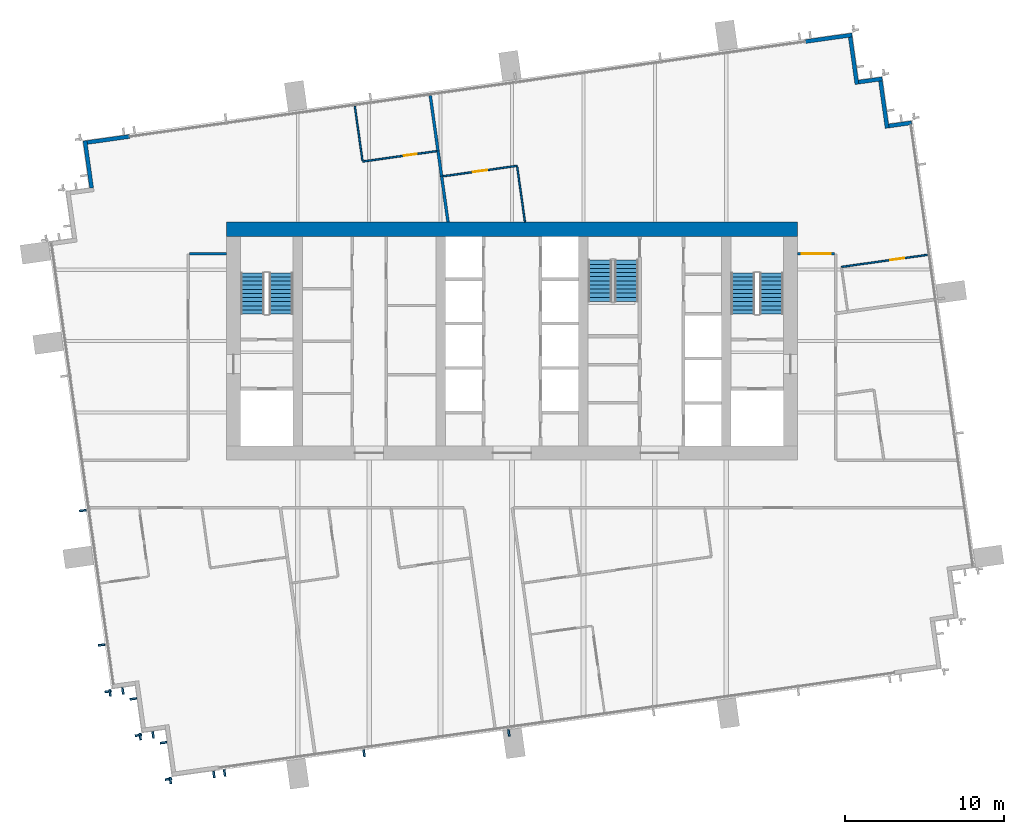
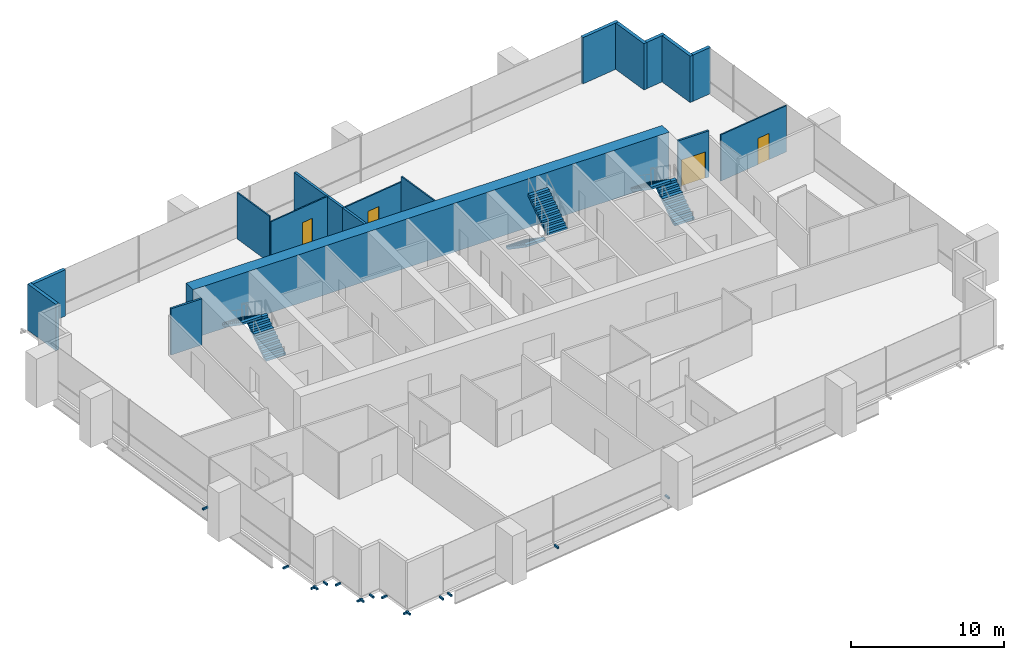
# One storey, part 12 of 14: 18 walls, 16 discrete accessories, 6 stair flights, 4 doors, 4 openings, 3 elements without a shape of their own.
"""IFC4 building model written with IfcOpenShell, lengths in metres."""

import ifcopenshell
import ifcopenshell.guid

model = None  # the IFC model being written
_history = None  # IfcOwnerHistory: only IFC2X3 demands one
_inside = {}  # id of a spatial element -> (the spatial element, [elements in it])
_under = {}  # id of a project, library or spatial element -> (it, [spatial elements below it])
_declared = {}  # id of a project -> (the project, [libraries it declares])
_typed = {}  # id of a type object -> (the type object, [elements of that type])
_made_of = {}  # id of a material, layer set ... -> (it, [elements and type objects made of it])


def new_model(schema):
    """Start an empty IFC model of exactly this schema.

    Asked for "IFC4X3", IfcOpenShell would pick the latest addendum, in which some entities
    have other attributes; the version numbers below select the first issue.
    IFC2X3 requires an IfcOwnerHistory on every rooted entity: one is made here for all.
    """
    global model, _history
    if schema == "IFC4X3":
        model = ifcopenshell.file(schema_version=(4, 3, 0, 0))
    else:
        model = ifcopenshell.file(schema=schema)
    _inside.clear()
    _under.clear()
    _declared.clear()
    _typed.clear()
    _made_of.clear()
    _history = None
    if model.schema == "IFC2X3":
        org = make("IfcOrganization", Name="unknown")
        user = make(
            "IfcPersonAndOrganization",
            ThePerson=make("IfcPerson", FamilyName="unknown"),
            TheOrganization=org,
        )
        app = make(
            "IfcApplication",
            ApplicationDeveloper=org,
            Version="unknown",
            ApplicationFullName="unknown",
            ApplicationIdentifier="unknown",
        )
        _history = make(
            "IfcOwnerHistory",
            OwningUser=user,
            OwningApplication=app,
            ChangeAction="ADDED",
            CreationDate=0,
        )
    return model


def make(cls, **values):
    """One entity of the class cls with the attributes given. An attribute that is None is left unset."""
    return model.create_entity(
        cls, **{name: value for name, value in values.items() if value is not None}
    )


def rooted(cls, **values):
    """An entity with a GlobalId (a new one), such as an element, a storey or a relation."""
    return make(cls, GlobalId=ifcopenshell.guid.new(), OwnerHistory=_history, **values)


def si_unit(unit_type, name, prefix=None):
    """IfcSIUnit, for example si_unit("LENGTHUNIT", "METRE", prefix="MILLI")."""
    return make("IfcSIUnit", UnitType=unit_type, Prefix=prefix, Name=name)


def assignment(units):
    """IfcUnitAssignment: the units of a project."""
    return None if units is None else make("IfcUnitAssignment", Units=units)


def point(xyz):
    """IfcCartesianPoint."""
    return None if xyz is None else make("IfcCartesianPoint", Coordinates=xyz)


def direction(xyz):
    """IfcDirection."""
    return None if xyz is None else make("IfcDirection", DirectionRatios=xyz)


def frame(location, z_axis=None, x_axis=None):
    """IfcAxis2Placement3D, a coordinate frame: its origin and axes. An axis left out is left unset."""
    return make(
        "IfcAxis2Placement3D",
        Location=point(location),
        Axis=direction(z_axis),
        RefDirection=direction(x_axis),
    )


def frame_2d(location, x_axis=None):
    """IfcAxis2Placement2D, a coordinate frame in the plane: its origin and x axis."""
    return make(
        "IfcAxis2Placement2D", Location=point(location), RefDirection=direction(x_axis)
    )


def origin():
    """The frame at (0, 0, 0) with its axes left unset."""
    return frame((0.0, 0.0, 0.0))


def origin_2d():
    """The frame at (0, 0) in the plane with its x axis left unset."""
    return frame_2d((0.0, 0.0))


def place(relative_to, where):
    """IfcLocalPlacement: puts the frame where relative to a parent placement (None: the world)."""
    return make(
        "IfcLocalPlacement", PlacementRelTo=relative_to, RelativePlacement=where
    )


def context(
    kind, dimensions, precision=None, world=None, true_north=None, identifier=None
):
    """IfcGeometricRepresentationContext, for example the 3D "Model" context."""
    return make(
        "IfcGeometricRepresentationContext",
        ContextIdentifier=identifier,
        ContextType=kind,
        CoordinateSpaceDimension=dimensions,
        Precision=precision,
        WorldCoordinateSystem=world,
        TrueNorth=true_north,
    )


def subcontext(parent, identifier, kind, view, scale=None):
    """IfcGeometricRepresentationSubContext, for example "Body" below "Model"."""
    return make(
        "IfcGeometricRepresentationSubContext",
        ContextIdentifier=identifier,
        ContextType=kind,
        ParentContext=parent,
        TargetScale=scale,
        TargetView=view,
    )


def project(units=None, contexts=None):
    """IfcProject with its units and contexts."""
    return rooted(
        "IfcProject",
        Name="project",
        RepresentationContexts=contexts,
        UnitsInContext=assignment(units),
    )


def spatial(cls, under=None, at=None, **own):
    """A site, building, storey or space (cls), placed at a placement, below another one or the project."""
    s = rooted(cls, ObjectPlacement=at, **own)
    if under is not None:
        _under.setdefault(under.id(), (under, []))[1].append(s)
    return s


def polyline(points):
    """IfcPolyline through the points."""
    return make("IfcPolyline", Points=[point(p) for p in points])


def profile(cls, at=None, kind="AREA", **sizes):
    """A parametric profile (cls). Its sizes go by their IFC names, for example OverallWidth=200.0."""
    return make(cls, ProfileType=kind, Position=at, **sizes)


def rectangle(**sizes):
    """IfcRectangleProfileDef."""
    return profile("IfcRectangleProfileDef", **sizes)


def outline(outer, holes=None, kind="AREA"):
    """IfcArbitraryClosedProfileDef: a profile drawn as a closed curve; with holes, ...WithVoids."""
    if holes is None:
        return make("IfcArbitraryClosedProfileDef", ProfileType=kind, OuterCurve=outer)
    return make(
        "IfcArbitraryProfileDefWithVoids",
        ProfileType=kind,
        OuterCurve=outer,
        InnerCurves=holes,
    )


def extrude(swept, where, along, depth):
    """IfcExtrudedAreaSolid: the profile swept, set in the frame where, extruded along a direction by depth."""
    return make(
        "IfcExtrudedAreaSolid",
        SweptArea=swept,
        Position=where,
        ExtrudedDirection=direction(along),
        Depth=depth,
    )


def shape(context_of_items, identifier, shape_type, items):
    """IfcShapeRepresentation: the items that make up one representation, for example the "Body"."""
    return make(
        "IfcShapeRepresentation",
        ContextOfItems=context_of_items,
        RepresentationIdentifier=identifier,
        RepresentationType=shape_type,
        Items=items,
    )


def material(Name=None, Category=None):
    """IfcMaterial."""
    return make("IfcMaterial", Name=Name, Category=Category)


def layer(
    of_material, thickness, ventilated=None, Name=None, Category=None, Priority=None
):
    """IfcMaterialLayer: one layer of a wall or slab, of a material (None: an air gap)."""
    return make(
        "IfcMaterialLayer",
        Material=of_material,
        LayerThickness=thickness,
        IsVentilated=ventilated,
        Name=Name,
        Category=Category,
        Priority=Priority,
    )


def layer_set(layers, Name=None):
    """IfcMaterialLayerSet."""
    return make("IfcMaterialLayerSet", MaterialLayers=layers, LayerSetName=Name)


def made_of(thing, what):
    """Note that an element or type object is made of a material, layer set ...; save() writes the relation."""
    if what is not None:
        _made_of.setdefault(what.id(), (what, []))[1].append(thing)
    return thing


def type_object(cls, material=None, **own):
    """A type object (cls), such as IfcWallType, which elements share."""
    return made_of(rooted(cls, **own), material)


def element(
    cls,
    number,
    at=None,
    inside=None,
    cuts=None,
    type_object=None,
    material=None,
    context=None,
    identifier="Body",
    shape_type=None,
    held_by="IfcProductDefinitionShape",
    body=None,
    shapes=None,
    **own,
):
    """One element of the class cls, such as IfcWall. Its Tag is "e" and its number.

    at: its placement. inside: the storey or other place that contains it. cuts: it is an
    opening in that element (IfcRelVoidsElement). A single representation is given by context,
    identifier, shape_type and body (its items); several are given by shapes. held_by: the class
    of the entity that holds the representations. save() writes the other relations.
    """
    e = rooted(cls, Tag="e%d" % number, ObjectPlacement=at, **own)
    if body is not None:
        shapes = [shape(context, identifier, shape_type, body)]
    if shapes is not None:
        e.Representation = make(held_by, Representations=shapes)
    if inside is not None:
        _inside.setdefault(inside.id(), (inside, []))[1].append(e)
    if cuts is not None:
        rooted(
            "IfcRelVoidsElement", RelatingBuildingElement=cuts, RelatedOpeningElement=e
        )
    if type_object is not None:
        _typed.setdefault(type_object.id(), (type_object, []))[1].append(e)
    return made_of(e, material)


def fill(opening, filler):
    """IfcRelFillsElement: the door or window that sits in an opening."""
    return rooted(
        "IfcRelFillsElement",
        RelatingOpeningElement=opening,
        RelatedBuildingElement=filler,
    )


def aggregate(whole, parts):
    """IfcRelAggregates: a whole, such as a stair, and the parts it consists of."""
    return rooted("IfcRelAggregates", RelatingObject=whole, RelatedObjects=parts)


def save(model, path):
    """Write the relations noted so far, then the file.

    IfcRelAggregates (storeys below a building ...), IfcRelContainedInSpatialStructure (elements
    in a storey), IfcRelDefinesByType, IfcRelAssociatesMaterial and IfcRelDeclares: one each for
    every whole, place, type object, material and project.
    """
    for whole, parts in _under.values():
        aggregate(whole, parts)
    for where, things in _inside.values():
        rooted(
            "IfcRelContainedInSpatialStructure",
            RelatedElements=things,
            RelatingStructure=where,
        )
    for kind, things in _typed.values():
        rooted("IfcRelDefinesByType", RelatedObjects=things, RelatingType=kind)
    for what, things in _made_of.values():
        rooted("IfcRelAssociatesMaterial", RelatedObjects=things, RelatingMaterial=what)
    for by, libraries in _declared.values():
        rooted("IfcRelDeclares", RelatingContext=by, RelatedDefinitions=libraries)
    model.write(path)


model = new_model("IFC4")

# Units and contexts
model_context = context("Model", 3, precision=1e-05, world=origin(), true_north=direction((0.0, 1.0)))
body_context = subcontext(model_context, "Body", "Model", "MODEL_VIEW")
ifc_project = project(units=[si_unit("LENGTHUNIT", "METRE"), si_unit("AREAUNIT", "SQUARE_METRE"), si_unit("VOLUMEUNIT", "CUBIC_METRE"), si_unit("PLANEANGLEUNIT", "RADIAN"), si_unit("MASSUNIT", "GRAM", prefix="KILO")], contexts=[model_context])

# Site, building, storey
site_placement = place(None, origin())
site = spatial("IfcSite", under=ifc_project, at=site_placement, CompositionType="ELEMENT")
building_placement = place(site_placement, origin())
building = spatial("IfcBuilding", under=site, at=building_placement, Name="Rattan Terrace Tower", CompositionType="ELEMENT")
storey_placement = place(building_placement, frame((0.0, 0.0, 172.39990234375)))
storey = spatial("IfcBuildingStorey", under=building, at=storey_placement, Name="L39", CompositionType="ELEMENT", Elevation=172.39990234375)

# Walls
ifc_material_1 = material(Name="Concrete C60/75", Category="concrete")
ifc_layer_1 = layer(ifc_material_1, 0.89990234375)
ifc_layer_set_1 = layer_set([ifc_layer_1], Name="Core ring wall 900 C60/75")
wall_type_1 = type_object("IfcWallType", Name="Core ring wall 900 C60/75", PredefinedType="SHEAR", material=ifc_layer_set_1)
wall_1_placement = place(storey_placement, frame((-18.0, 7.050048828125, -0.199951171875), z_axis=(0.0, 0.0, 1.0), x_axis=(1.0, 0.0, 0.0)))
element("IfcWall", 1, at=wall_1_placement, inside=storey, type_object=wall_type_1, Name="Rear core wall north", PredefinedType="SHEAR", context=body_context, shape_type="SweptSolid", body=[
    extrude(rectangle(XDim=36.0, YDim=0.89990234375, at=frame_2d((18.0, 0.0))), origin(), (0.0, 0.0, 1.0), 3.900146484375),
])
ifc_material_2 = material(Name="Insulated aluminium-clad stud wall", Category="aluminium")
ifc_layer_2 = layer(ifc_material_2, 0.25)
ifc_layer_set_2 = layer_set([ifc_layer_2], Name="Facade Riser Wall 250")
wall_type_2 = type_object("IfcWallType", Name="Facade Riser Wall 250", PredefinedType="SOLIDWALL", material=ifc_layer_set_2)
wall_2_placement = place(storey_placement, frame((25.18359375, 13.758056640625, 0.0), z_axis=(0.0, 0.0, 1.0), x_axis=(-0.9902493448, -0.13930626376, 0.0)))
element("IfcWall", 2, at=wall_2_placement, inside=storey, type_object=wall_type_2, Name="Riser wall L39-6", PredefinedType="SOLIDWALL", context=body_context, shape_type="SweptSolid", body=[
    extrude(rectangle(XDim=1.45458984375, YDim=0.25, at=frame_2d((0.727294921875, 0.0))), origin(), (0.0, 0.0, 1.0), 3.7001953125),
])
wall_3_placement = place(storey_placement, frame((23.63671875, 13.414306640625, 0.0), z_axis=(0.0, 0.0, 1.0), x_axis=(-0.139313431826, 0.990248336385, 0.0)))
element("IfcWall", 3, at=wall_3_placement, inside=storey, type_object=wall_type_2, Name="Riser wall L39-7", PredefinedType="SOLIDWALL", context=body_context, shape_type="SweptSolid", body=[
    extrude(rectangle(XDim=3.000244140625, YDim=0.25, at=frame_2d((1.5, 0.0))), origin(), (0.0, 0.0, 1.0), 3.7001953125),
])
wall_4_placement = place(storey_placement, frame((23.3251953125, 16.5263671875, 0.0), z_axis=(0.0, 0.0, 1.0), x_axis=(-0.990243596651, -0.13934711799, 0.0)))
element("IfcWall", 4, at=wall_4_placement, inside=storey, type_object=wall_type_2, Name="Riser wall L39-8", PredefinedType="SOLIDWALL", context=body_context, shape_type="SweptSolid", body=[
    extrude(rectangle(XDim=1.499755859375, YDim=0.25, at=frame_2d((0.75, 0.0))), origin(), (0.0, 0.0, 1.0), 3.7001953125),
])
wall_5_placement = place(storey_placement, frame((21.733642578125, 16.17626953125, 0.0), z_axis=(0.0, 0.0, 1.0), x_axis=(-0.139313431826, 0.990248336385, 0.0)))
element("IfcWall", 5, at=wall_5_placement, inside=storey, type_object=wall_type_2, Name="Riser wall L39-9", PredefinedType="SOLIDWALL", context=body_context, shape_type="SweptSolid", body=[
    extrude(rectangle(XDim=3.000244140625, YDim=0.25, at=frame_2d((1.5, 0.0))), origin(), (0.0, 0.0, 1.0), 3.7001953125),
])
wall_6_placement = place(storey_placement, frame((21.422119140625, 19.288330078125, 0.0), z_axis=(0.0, 0.0, 1.0), x_axis=(-0.990246427036, -0.139327002919, 0.0)))
element("IfcWall", 6, at=wall_6_placement, inside=storey, type_object=wall_type_2, Name="Riser wall L39-10", PredefinedType="SOLIDWALL", context=body_context, shape_type="SweptSolid", body=[
    extrude(rectangle(XDim=2.954345703125, YDim=0.25, at=frame_2d((1.47705078125, 0.0))), origin(), (0.0, 0.0, 1.0), 3.7001953125),
])
wall_7_placement = place(storey_placement, frame((-24.08544921875, 12.892578125, 0.0), z_axis=(0.0, 0.0, 1.0), x_axis=(-0.990255800966, -0.139260362823, 0.0)))
element("IfcWall", 7, at=wall_7_placement, inside=storey, type_object=wall_type_2, Name="Riser wall L39-11", PredefinedType="SOLIDWALL", context=body_context, shape_type="SweptSolid", body=[
    extrude(rectangle(XDim=2.705078125, YDim=0.25, at=frame_2d((1.3525390625, 0.0))), origin(), (0.0, 0.0, 1.0), 3.7001953125),
])
wall_8_placement = place(storey_placement, frame((-26.9052734375, 12.6220703125, 0.0), z_axis=(0.0, 0.0, 1.0), x_axis=(0.139313431826, -0.990248336385, 0.0)))
element("IfcWall", 8, at=wall_8_placement, inside=storey, type_object=wall_type_2, Name="Riser wall L39-12", PredefinedType="SOLIDWALL", context=body_context, shape_type="SweptSolid", body=[
    extrude(rectangle(XDim=3.000244140625, YDim=0.25, at=frame_2d((1.5, 0.0))), origin(), (0.0, 0.0, 1.0), 3.7001953125),
])
ifc_material_3 = material(Name="Double steel stud acoustic partition, gypsum board, mineral wool, fire rated", Category="steel")
ifc_layer_3 = layer(ifc_material_3, 0.179931640625)
ifc_layer_set_3 = layer_set([ifc_layer_3], Name="Floors Acoustic Party Wall 180")
wall_type_3 = type_object("IfcWallType", Name="Floors Acoustic Party Wall 180", PredefinedType="PARTITIONING", material=ifc_layer_set_3)
wall_9_placement = place(storey_placement, frame((-4.659912109375, 11.97998046875, 0.0), z_axis=(0.0, 0.0, 1.0), x_axis=(0.139096096116, -0.990278888013, 0.0)))
element("IfcWall", 9, at=wall_9_placement, inside=storey, type_object=wall_type_3, Name="pt-L39-043", PredefinedType="PARTITIONING", context=body_context, shape_type="SweptSolid", body=[
    extrude(rectangle(XDim=1.6025390625, YDim=0.179931640625, at=frame_2d((0.80126953125, 0.0))), origin(), (0.0, 0.0, 1.0), 3.25),
])
wall_10_placement = place(storey_placement, frame((-4.43701171875, 10.39306640625, 0.0), z_axis=(0.0, 0.0, 1.0), x_axis=(0.139303486007, -0.990249735565, 0.0)))
element("IfcWall", 10, at=wall_10_placement, inside=storey, type_object=wall_type_3, Name="pt-L39-044", PredefinedType="PARTITIONING", context=body_context, shape_type="SweptSolid", body=[
    extrude(rectangle(XDim=2.921630859375, YDim=0.179931640625, at=frame_2d((1.4609375, 0.0))), origin(), (0.0, 0.0, 1.0), 3.25),
])
wall_11_placement = place(storey_placement, frame((-5.14892578125, 15.462890625, 0.0), z_axis=(0.0, 0.0, 1.0), x_axis=(0.139039982937, -0.990286768136, 0.0)))
element("IfcWall", 11, at=wall_11_placement, inside=storey, type_object=wall_type_3, Name="pt-L39-045", PredefinedType="PARTITIONING", context=body_context, shape_type="SweptSolid", body=[
    extrude(rectangle(XDim=3.51708984375, YDim=0.179931640625, at=frame_2d((1.758544921875, 0.0))), origin(), (0.0, 0.0, 1.0), 3.25),
])
ifc_material_4 = material(Name="Gypsum board partition on steel studs", Category="steel")
ifc_layer_4 = layer(ifc_material_4, 0.10009765625)
ifc_layer_set_4 = layer_set([ifc_layer_4], Name="Floors Partition 100")
wall_type_4 = type_object("IfcWallType", Name="Floors Partition 100", PredefinedType="PARTITIONING", material=ifc_layer_set_4)
wall_12_placement = place(storey_placement, frame((-9.902099609375, 14.7939453125, 0.0), z_axis=(0.0, 0.0, 1.0), x_axis=(0.139094045424, -0.990279176055, 0.0)))
element("IfcWall", 12, at=wall_12_placement, inside=storey, type_object=wall_type_4, Name="pt-L39-041", PredefinedType="PARTITIONING", context=body_context, shape_type="SweptSolid", body=[
    extrude(rectangle(XDim=3.466552734375, YDim=0.10009765625, at=frame_2d((1.7333984375, 0.0))), origin(), (0.0, 0.0, 1.0), 3.7001953125),
])

# Wall, opening, door
wall_13_placement = place(storey_placement, frame((-9.4130859375, 11.31201171875, 0.0), z_axis=(0.0, 0.0, 1.0), x_axis=(0.99025300455, 0.139280246191, 0.0)))
wall_13 = element("IfcWall", 13, at=wall_13_placement, inside=storey, type_object=wall_type_4, Name="pt-L39-042", PredefinedType="PARTITIONING", context=body_context, shape_type="SweptSolid", body=[
    extrude(rectangle(XDim=4.7099609375, YDim=0.10009765625, at=frame_2d((2.35498046875, 0.0))), origin(), (0.0, 0.0, 1.0), 3.300048828125),
])
opening_1_placement = place(wall_13_placement, frame((2.636962890625, 0.0, 0.0)))
opening_1 = element("IfcOpeningElement", 14, at=opening_1_placement, cuts=wall_13, Name="Opening L39-D111", PredefinedType="OPENING", context=body_context, shape_type="SweptSolid", body=[
    extrude(rectangle(XDim=0.800048828125, YDim=2.10009765625, at=frame_2d((0.39990234375, 1.050048828125))), frame((0.0, 0.060546875, 0.0), z_axis=(0.0, -1.0, 0.0), x_axis=(1.0, 0.0, 0.0)), (0.0, 0.0, 1.0), 0.12109375),
])
ifc_material_5 = material(Name="Solid core timber door, painted", Category="wood")
door_type_1 = type_object("IfcDoorType", Name="Floors Store Door 800x2100", OperationType="NOTDEFINED", PredefinedType="DOOR", material=ifc_material_5)
door_1_placement = place(opening_1_placement, origin())
door_1 = element("IfcDoor", 15, at=door_1_placement, inside=storey, type_object=door_type_1, Name="d-L39-111", OperationType="SINGLE_SWING_RIGHT", OverallHeight=2.10009765625, OverallWidth=0.800048828125, PredefinedType="DOOR", context=body_context, shape_type="SweptSolid", body=[
    extrude(rectangle(XDim=0.800048828125, YDim=2.10009765625, at=frame_2d((0.39990234375, 1.050048828125))), frame((0.0, 0.02490234375, 0.0), z_axis=(0.0, -1.0, 0.0), x_axis=(1.0, 0.0, 0.0)), (0.0, 0.0, 1.0), 0.050048828125),
])
fill(opening_1, door_1)

wall_14_placement = place(storey_placement, frame((26.180908203125, 5.43505859375, 0.0), z_axis=(0.0, 0.0, 1.0), x_axis=(-0.990283537783, -0.13906298859, 0.0)))
wall_14 = element("IfcWall", 16, at=wall_14_placement, inside=storey, type_object=wall_type_4, Name="pt-L39-051", PredefinedType="PARTITIONING", context=body_context, shape_type="SweptSolid", body=[
    extrude(rectangle(XDim=5.479248046875, YDim=0.10009765625, at=frame_2d((2.73974609375, 0.0))), origin(), (0.0, 0.0, 1.0), 3.7001953125),
])
opening_2_placement = place(wall_14_placement, frame((1.47412109375, 0.0, 0.0)))
opening_2 = element("IfcOpeningElement", 17, at=opening_2_placement, cuts=wall_14, Name="Opening L39-D115", PredefinedType="OPENING", context=body_context, shape_type="SweptSolid", body=[
    extrude(rectangle(XDim=0.89990234375, YDim=2.10009765625, at=frame_2d((0.449951171875, 1.050048828125))), frame((0.0, 0.060546875, 0.0), z_axis=(0.0, -1.0, 0.0), x_axis=(1.0, 0.0, 0.0)), (0.0, 0.0, 1.0), 0.12109375),
])
ifc_material_6 = material(Name="Solid core timber door, painted", Category="wood")
door_type_2 = type_object("IfcDoorType", Name="Floors Door 900x2100", OperationType="NOTDEFINED", PredefinedType="DOOR", material=ifc_material_6)
door_2_placement = place(opening_2_placement, origin())
door_2 = element("IfcDoor", 18, at=door_2_placement, inside=storey, type_object=door_type_2, Name="d-L39-115", OperationType="SINGLE_SWING_LEFT", OverallHeight=2.10009765625, OverallWidth=0.89990234375, PredefinedType="DOOR", context=body_context, shape_type="SweptSolid", body=[
    extrude(rectangle(XDim=0.89990234375, YDim=2.10009765625, at=frame_2d((0.449951171875, 1.050048828125))), frame((0.0, 0.02490234375, 0.0), z_axis=(0.0, -1.0, 0.0), x_axis=(1.0, 0.0, 0.0)), (0.0, 0.0, 1.0), 0.050048828125),
])
fill(opening_2, door_2)

wall_15_placement = place(storey_placement, frame((0.319091796875, 11.041015625, 0.0), z_axis=(0.0, 0.0, 1.0), x_axis=(-0.99025300455, -0.139280246191, 0.0)))
wall_15 = element("IfcWall", 19, at=wall_15_placement, inside=storey, type_object=wall_type_4, Name="pt-L39-052", PredefinedType="PARTITIONING", context=body_context, shape_type="SweptSolid", body=[
    extrude(rectangle(XDim=4.7099609375, YDim=0.10009765625, at=frame_2d((2.35498046875, 0.0))), origin(), (0.0, 0.0, 1.0), 3.25),
])
opening_3_placement = place(wall_15_placement, frame((1.905029296875, 0.0, 0.0)))
opening_3 = element("IfcOpeningElement", 20, at=opening_3_placement, cuts=wall_15, Name="Opening L39-D116", PredefinedType="OPENING", context=body_context, shape_type="SweptSolid", body=[
    extrude(rectangle(XDim=0.89990234375, YDim=2.10009765625, at=frame_2d((0.449951171875, 1.050048828125))), frame((0.0, 0.060546875, 0.0), z_axis=(0.0, -1.0, 0.0), x_axis=(1.0, 0.0, 0.0)), (0.0, 0.0, 1.0), 0.12109375),
])
door_3_placement = place(opening_3_placement, origin())
door_3 = element("IfcDoor", 21, at=door_3_placement, inside=storey, type_object=door_type_2, Name="d-L39-116", OperationType="SINGLE_SWING_LEFT", OverallHeight=2.10009765625, OverallWidth=0.89990234375, PredefinedType="DOOR", context=body_context, shape_type="SweptSolid", body=[
    extrude(rectangle(XDim=0.89990234375, YDim=2.10009765625, at=frame_2d((0.449951171875, 1.050048828125))), frame((0.0, 0.02490234375, 0.0), z_axis=(0.0, -1.0, 0.0), x_axis=(1.0, 0.0, 0.0)), (0.0, 0.0, 1.0), 0.050048828125),
])
fill(opening_3, door_3)

# Walls
wall_16_placement = place(storey_placement, frame((0.81689453125, 7.5, 0.0), z_axis=(0.0, 0.0, 1.0), x_axis=(-0.139230432727, 0.990260009595, 0.0)))
element("IfcWall", 22, at=wall_16_placement, inside=storey, type_object=wall_type_4, Name="pt-L39-053", PredefinedType="PARTITIONING", context=body_context, shape_type="SweptSolid", body=[
    extrude(rectangle(XDim=3.5263671875, YDim=0.10009765625, at=frame_2d((1.76318359375, 0.0))), origin(), (0.0, 0.0, 1.0), 3.7001953125),
])
ifc_material_7 = material(Name="Gypsum board partition on steel studs, fire rated", Category="steel")
ifc_layer_5 = layer(ifc_material_7, 0.14990234375)
ifc_layer_set_5 = layer_set([ifc_layer_5], Name="Floors Tenancy Wall 150")
wall_type_5 = type_object("IfcWallType", Name="Floors Tenancy Wall 150", PredefinedType="PARTITIONING", material=ifc_layer_set_5)
wall_17_placement = place(storey_placement, frame((-20.324951171875, 5.5009765625, 0.0), z_axis=(0.0, 0.0, 1.0), x_axis=(1.0, 0.0, 0.0)))
element("IfcWall", 23, at=wall_17_placement, inside=storey, type_object=wall_type_5, Name="pt-L39-017", PredefinedType="PARTITIONING", context=body_context, shape_type="SweptSolid", body=[
    extrude(rectangle(XDim=2.324951171875, YDim=0.14990234375, at=frame_2d((1.16259765625, 0.0))), origin(), (0.0, 0.0, 1.0), 3.7001953125),
])

# Wall, opening, door
wall_18_placement = place(storey_placement, frame((18.0, 5.5009765625, 0.0), z_axis=(0.0, 0.0, 1.0), x_axis=(1.0, 0.0, 0.0)))
wall_18 = element("IfcWall", 24, at=wall_18_placement, inside=storey, type_object=wall_type_5, Name="pt-L39-022", PredefinedType="PARTITIONING", context=body_context, shape_type="SweptSolid", body=[
    extrude(rectangle(XDim=2.324951171875, YDim=0.14990234375, at=frame_2d((1.16259765625, 0.0))), origin(), (0.0, 0.0, 1.0), 3.7001953125),
])
opening_4_placement = place(wall_18_placement, frame((0.26806640625, 0.0, 0.0)))
opening_4 = element("IfcOpeningElement", 25, at=opening_4_placement, cuts=wall_18, Name="Opening L39-D114", PredefinedType="OPENING", context=body_context, shape_type="SweptSolid", body=[
    extrude(rectangle(XDim=1.800048828125, YDim=2.10009765625, at=frame_2d((0.89990234375, 1.050048828125))), frame((0.0, 0.08544921875, 0.0), z_axis=(0.0, -1.0, 0.0), x_axis=(1.0, 0.0, 0.0)), (0.0, 0.0, 1.0), 0.1708984375),
])
ifc_material_8 = material(Name="Steel fire door set", Category="steel")
door_type_3 = type_object("IfcDoorType", Name="Floors Fire Door Pair FD30S 1800x2100", OperationType="NOTDEFINED", PredefinedType="DOOR", material=ifc_material_8)
door_4_placement = place(opening_4_placement, origin())
door_4 = element("IfcDoor", 26, at=door_4_placement, inside=storey, type_object=door_type_3, Name="d-L39-114", OperationType="DOUBLE_DOOR_SINGLE_SWING", OverallHeight=2.10009765625, OverallWidth=1.800048828125, PredefinedType="DOOR", context=body_context, shape_type="SweptSolid", body=[
    extrude(rectangle(XDim=1.800048828125, YDim=2.10009765625, at=frame_2d((0.89990234375, 1.050048828125))), frame((0.0, 0.02490234375, 0.0), z_axis=(0.0, -1.0, 0.0), x_axis=(1.0, 0.0, 0.0)), (0.0, 0.0, 1.0), 0.050048828125),
])
fill(opening_4, door_4)

# Stair, stair flights
ifc_material_9 = material(Name="Concrete C40/50", Category="concrete")
stair_type = type_object("IfcStairType", Name="Core exit stair 1500", PredefinedType="HALF_TURN_STAIR", material=ifc_material_9)
stair_1_placement = place(storey_placement, origin())
stair_1 = element("IfcStair", 27, at=stair_1_placement, inside=storey, type_object=stair_type, Name="L39 exit stair 1", PredefinedType="HALF_TURN_STAIR")
ifc_material_10 = material(Name="Concrete C40/50", Category="concrete")
stair_flight_type = type_object("IfcStairFlightType", Name="Core exit stair flight 1500", PredefinedType="STRAIGHT", material=ifc_material_10)
stair_flight_1_placement = place(storey_placement, frame((-14.550048828125, 1.699951171875, 0.0), z_axis=(0.0, 0.0, 1.0), x_axis=(0.0, 1.0, 0.0)))
stair_flight_1 = element("IfcStairFlight", 28, at=stair_flight_1_placement, type_object=stair_flight_type, Name="S1 flight 1", NumberOfRisers=11, NumberOfTreads=10, PredefinedType="STRAIGHT", RiserHeight=0.177272727, TreadLength=0.26, context=body_context, shape_type="SweptSolid", body=[
    extrude(outline(polyline([(0.0, 0.0), (0.0, 0.17724609375), (0.260009765625, 0.17724609375), (0.260009765625, 0.3544921875), (0.52001953125, 0.3544921875), (0.52001953125, 0.53173828125), (0.780029296875, 0.53173828125), (0.780029296875, 0.708984375), (1.0400390625, 0.708984375), (1.0400390625, 0.886474609375), (1.300048828125, 0.886474609375), (1.300048828125, 1.063720703125), (1.56005859375, 1.063720703125), (1.56005859375, 1.240966796875), (1.820068359375, 1.240966796875), (1.820068359375, 1.418212890625), (2.080078125, 1.418212890625), (2.080078125, 1.595458984375), (2.340087890625, 1.595458984375), (2.340087890625, 1.772705078125), (2.60009765625, 1.772705078125), (2.60009765625, 1.949951171875), (2.60009765625, 1.59130859375), (0.26611328125, 0.0), (0.0, 0.0)])), frame((0.0, 0.75, 0.0), z_axis=(0.0, -1.0, 0.0), x_axis=(1.0, 0.0, 0.0)), (0.0, 0.0, 1.0), 1.5),
])
stair_flight_2_placement = place(storey_placement, frame((-16.35009765625, 4.300048828125, 1.9501953125), z_axis=(0.0, 0.0, 1.0), x_axis=(0.0, -1.0, 0.0)))
stair_flight_2 = element("IfcStairFlight", 29, at=stair_flight_2_placement, type_object=stair_flight_type, Name="S1 flight 2", NumberOfRisers=11, NumberOfTreads=10, PredefinedType="STRAIGHT", RiserHeight=0.177272727, TreadLength=0.26, context=body_context, shape_type="SweptSolid", body=[
    extrude(outline(polyline([(0.0, 0.0), (0.0, 0.17724609375), (0.260009765625, 0.17724609375), (0.260009765625, 0.3544921875), (0.52001953125, 0.3544921875), (0.52001953125, 0.53173828125), (0.780029296875, 0.53173828125), (0.780029296875, 0.708984375), (1.0400390625, 0.708984375), (1.0400390625, 0.886474609375), (1.300048828125, 0.886474609375), (1.300048828125, 1.063720703125), (1.56005859375, 1.063720703125), (1.56005859375, 1.240966796875), (1.820068359375, 1.240966796875), (1.820068359375, 1.418212890625), (2.080078125, 1.418212890625), (2.080078125, 1.595458984375), (2.340087890625, 1.595458984375), (2.340087890625, 1.772705078125), (2.60009765625, 1.772705078125), (2.60009765625, 1.949951171875), (2.60009765625, 1.59130859375), (0.26611328125, 0.0), (0.0, 0.0)])), frame((0.0, 0.75, 0.0), z_axis=(0.0, -1.0, 0.0), x_axis=(1.0, 0.0, 0.0)), (0.0, 0.0, 1.0), 1.5),
])
aggregate(stair_1, [stair_flight_1, stair_flight_2])

stair_2_placement = place(storey_placement, origin())
stair_2 = element("IfcStair", 30, at=stair_2_placement, inside=storey, type_object=stair_type, Name="L39 exit stair 2", PredefinedType="HALF_TURN_STAIR")
stair_flight_3_placement = place(storey_placement, frame((16.35009765625, 1.699951171875, 0.0), z_axis=(0.0, 0.0, 1.0), x_axis=(0.0, 1.0, 0.0)))
stair_flight_3 = element("IfcStairFlight", 31, at=stair_flight_3_placement, type_object=stair_flight_type, Name="S2 flight 1", NumberOfRisers=11, NumberOfTreads=10, PredefinedType="STRAIGHT", RiserHeight=0.177272727, TreadLength=0.26, context=body_context, shape_type="SweptSolid", body=[
    extrude(outline(polyline([(0.0, 0.0), (0.0, 0.17724609375), (0.260009765625, 0.17724609375), (0.260009765625, 0.3544921875), (0.52001953125, 0.3544921875), (0.52001953125, 0.53173828125), (0.780029296875, 0.53173828125), (0.780029296875, 0.708984375), (1.0400390625, 0.708984375), (1.0400390625, 0.886474609375), (1.300048828125, 0.886474609375), (1.300048828125, 1.063720703125), (1.56005859375, 1.063720703125), (1.56005859375, 1.240966796875), (1.820068359375, 1.240966796875), (1.820068359375, 1.418212890625), (2.080078125, 1.418212890625), (2.080078125, 1.595458984375), (2.340087890625, 1.595458984375), (2.340087890625, 1.772705078125), (2.60009765625, 1.772705078125), (2.60009765625, 1.949951171875), (2.60009765625, 1.59130859375), (0.26611328125, 0.0), (0.0, 0.0)])), frame((0.0, 0.75, 0.0), z_axis=(0.0, -1.0, 0.0), x_axis=(1.0, 0.0, 0.0)), (0.0, 0.0, 1.0), 1.5),
])
stair_flight_4_placement = place(storey_placement, frame((14.550048828125, 4.300048828125, 1.9501953125), z_axis=(0.0, 0.0, 1.0), x_axis=(0.0, -1.0, 0.0)))
stair_flight_4 = element("IfcStairFlight", 32, at=stair_flight_4_placement, type_object=stair_flight_type, Name="S2 flight 2", NumberOfRisers=11, NumberOfTreads=10, PredefinedType="STRAIGHT", RiserHeight=0.177272727, TreadLength=0.26, context=body_context, shape_type="SweptSolid", body=[
    extrude(outline(polyline([(0.0, 0.0), (0.0, 0.17724609375), (0.260009765625, 0.17724609375), (0.260009765625, 0.3544921875), (0.52001953125, 0.3544921875), (0.52001953125, 0.53173828125), (0.780029296875, 0.53173828125), (0.780029296875, 0.708984375), (1.0400390625, 0.708984375), (1.0400390625, 0.886474609375), (1.300048828125, 0.886474609375), (1.300048828125, 1.063720703125), (1.56005859375, 1.063720703125), (1.56005859375, 1.240966796875), (1.820068359375, 1.240966796875), (1.820068359375, 1.418212890625), (2.080078125, 1.418212890625), (2.080078125, 1.595458984375), (2.340087890625, 1.595458984375), (2.340087890625, 1.772705078125), (2.60009765625, 1.772705078125), (2.60009765625, 1.949951171875), (2.60009765625, 1.59130859375), (0.26611328125, 0.0), (0.0, 0.0)])), frame((0.0, 0.75, 0.0), z_axis=(0.0, -1.0, 0.0), x_axis=(1.0, 0.0, 0.0)), (0.0, 0.0, 1.0), 1.5),
])
aggregate(stair_2, [stair_flight_3, stair_flight_4])

stair_3_placement = place(storey_placement, origin())
stair_3 = element("IfcStair", 33, at=stair_3_placement, inside=storey, type_object=stair_type, Name="L39 exit stair 3", PredefinedType="HALF_TURN_STAIR")
stair_flight_5_placement = place(storey_placement, frame((5.550048828125, 5.10009765625, 0.0), z_axis=(0.0, 0.0, 1.0), x_axis=(0.0, -1.0, 0.0)))
stair_flight_5 = element("IfcStairFlight", 34, at=stair_flight_5_placement, type_object=stair_flight_type, Name="S3 flight 1", NumberOfRisers=11, NumberOfTreads=10, PredefinedType="STRAIGHT", RiserHeight=0.177272727, TreadLength=0.26, context=body_context, shape_type="SweptSolid", body=[
    extrude(outline(polyline([(0.0, 0.0), (0.0, 0.17724609375), (0.260009765625, 0.17724609375), (0.260009765625, 0.3544921875), (0.52001953125, 0.3544921875), (0.52001953125, 0.53173828125), (0.780029296875, 0.53173828125), (0.780029296875, 0.708984375), (1.0400390625, 0.708984375), (1.0400390625, 0.886474609375), (1.300048828125, 0.886474609375), (1.300048828125, 1.063720703125), (1.56005859375, 1.063720703125), (1.56005859375, 1.240966796875), (1.820068359375, 1.240966796875), (1.820068359375, 1.418212890625), (2.080078125, 1.418212890625), (2.080078125, 1.595458984375), (2.340087890625, 1.595458984375), (2.340087890625, 1.772705078125), (2.60009765625, 1.772705078125), (2.60009765625, 1.949951171875), (2.60009765625, 1.59130859375), (0.26611328125, 0.0), (0.0, 0.0)])), frame((0.0, 0.75, 0.0), z_axis=(0.0, -1.0, 0.0), x_axis=(1.0, 0.0, 0.0)), (0.0, 0.0, 1.0), 1.5),
])
stair_flight_6_placement = place(storey_placement, frame((7.199951171875, 2.5, 1.9501953125), z_axis=(0.0, 0.0, 1.0), x_axis=(0.0, 1.0, 0.0)))
stair_flight_6 = element("IfcStairFlight", 35, at=stair_flight_6_placement, type_object=stair_flight_type, Name="S3 flight 2", NumberOfRisers=11, NumberOfTreads=10, PredefinedType="STRAIGHT", RiserHeight=0.177272727, TreadLength=0.26, context=body_context, shape_type="SweptSolid", body=[
    extrude(outline(polyline([(0.0, 0.0), (0.0, 0.17724609375), (0.260009765625, 0.17724609375), (0.260009765625, 0.3544921875), (0.52001953125, 0.3544921875), (0.52001953125, 0.53173828125), (0.780029296875, 0.53173828125), (0.780029296875, 0.708984375), (1.0400390625, 0.708984375), (1.0400390625, 0.886474609375), (1.300048828125, 0.886474609375), (1.300048828125, 1.063720703125), (1.56005859375, 1.063720703125), (1.56005859375, 1.240966796875), (1.820068359375, 1.240966796875), (1.820068359375, 1.418212890625), (2.080078125, 1.418212890625), (2.080078125, 1.595458984375), (2.340087890625, 1.595458984375), (2.340087890625, 1.772705078125), (2.60009765625, 1.772705078125), (2.60009765625, 1.949951171875), (2.60009765625, 1.59130859375), (0.26611328125, 0.0), (0.0, 0.0)])), frame((0.0, 0.75, 0.0), z_axis=(0.0, -1.0, 0.0), x_axis=(1.0, 0.0, 0.0)), (0.0, 0.0, 1.0), 1.5),
])
aggregate(stair_3, [stair_flight_5, stair_flight_6])

# Discrete accessories
for number, where, z_axis, x_axis, name in (
    (36, (-27.043701171875, -10.6787109375, -0.169921875), (0.0, 0.0, 1.0), (0.139190856006, -0.99026557327, 0.0), "Panel bracket L39-44"),
    (37, (-25.853759765625, -19.1455078125, -0.169921875), (0.0, 0.0, 1.0), (0.139190856006, -0.99026557327, 0.0), "Panel bracket L39-45"),
    (38, (-25.441650390625, -22.0771484375, -0.169921875), (0.0, 0.0, 1.0), (0.139190856006, -0.99026557327, 0.0), "Panel bracket L39-46"),
    (39, (-25.328857421875, -22.162353515625, -0.169921875), (0.0, 0.0, 1.0), (0.990240767803, 0.139367219175, 0.0), "Panel bracket L39-47"),
    (40, (-24.51708984375, -22.048095703125, -0.169921875), (0.0, 0.0, 1.0), (0.990240767803, 0.139367219175, 0.0), "Panel bracket L39-48"),
    (41, (-23.86181640625, -22.54150390625, -0.169921875), (0.0, 0.0, 1.0), (0.139321220646, -0.990247240581, 0.0), "Panel bracket L39-49"),
    (42, (-23.53857421875, -24.83935546875, -0.169921875), (0.0, 0.0, 1.0), (0.139321220646, -0.990247240581, 0.0), "Panel bracket L39-50"),
    (43, (-23.42578125, -24.92431640625, -0.169921875), (0.0, 0.0, 1.0), (0.990240767803, 0.139367219175, 0.0), "Panel bracket L39-51"),
    (44, (-22.614013671875, -24.81005859375, -0.169921875), (0.0, 0.0, 1.0), (0.990240767803, 0.139367219175, 0.0), "Panel bracket L39-52"),
    (45, (-21.958984375, -25.303466796875, -0.169921875), (0.0, 0.0, 1.0), (0.139321220646, -0.990247240581, 0.0), "Panel bracket L39-53"),
    (46, (-21.635498046875, -27.601318359375, -0.169921875), (0.0, 0.0, 1.0), (0.139321220646, -0.990247240581, 0.0), "Panel bracket L39-54"),
    (47, (-21.522705078125, -27.686279296875, -0.169921875), (0.0, 0.0, 1.0), (0.990240767803, 0.139367219175, 0.0), "Panel bracket L39-55"),
    (48, (-18.780517578125, -27.30029296875, -0.169921875), (0.0, 0.0, 1.0), (0.990240767803, 0.139367219175, 0.0), "Panel bracket L39-56"),
    (49, (-18.10693359375, -27.20556640625, -0.169921875), (0.0, 0.0, 1.0), (0.990269702686, 0.139161474347, 0.0), "Panel bracket L39-57"),
    (50, (-9.3203125, -25.970947265625, -0.169921875), (0.0, 0.0, 1.0), (0.990269702686, 0.139161474347, 0.0), "Panel bracket L39-58"),
    (51, (-0.197021484375, -24.688720703125, -0.169921875), (0.0, 0.0, 1.0), (0.990269702686, 0.139161474347, 0.0), "Panel bracket L39-59"),
):
    element("IfcDiscreteAccessory", number, at=place(storey_placement, frame(where, z_axis=z_axis, x_axis=x_axis)), inside=storey, Name=name, PredefinedType="BRACKET", context=body_context, shape_type="SweptSolid", body=[
        extrude(rectangle(XDim=0.1201171875, YDim=0.419921875, at=origin_2d()), origin(), (0.0, 0.0, 1.0), 0.139892578125),
    ])

save(model, "model.ifc")
